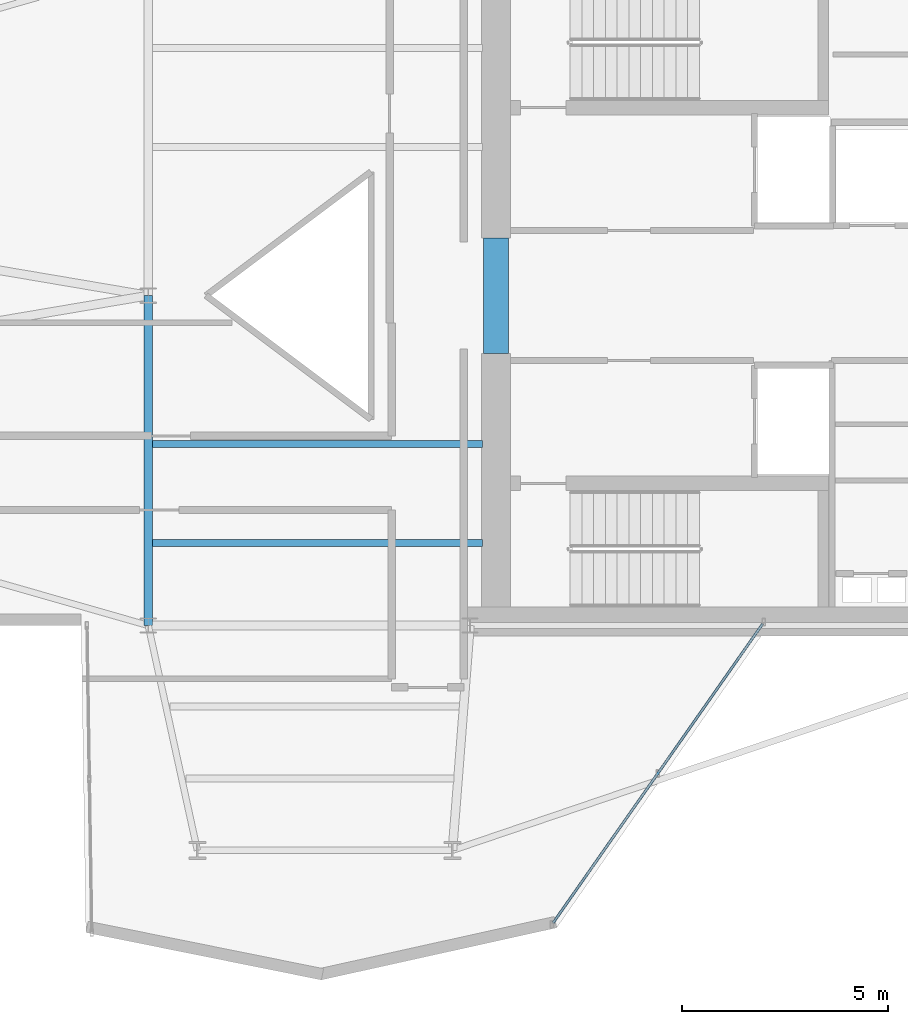
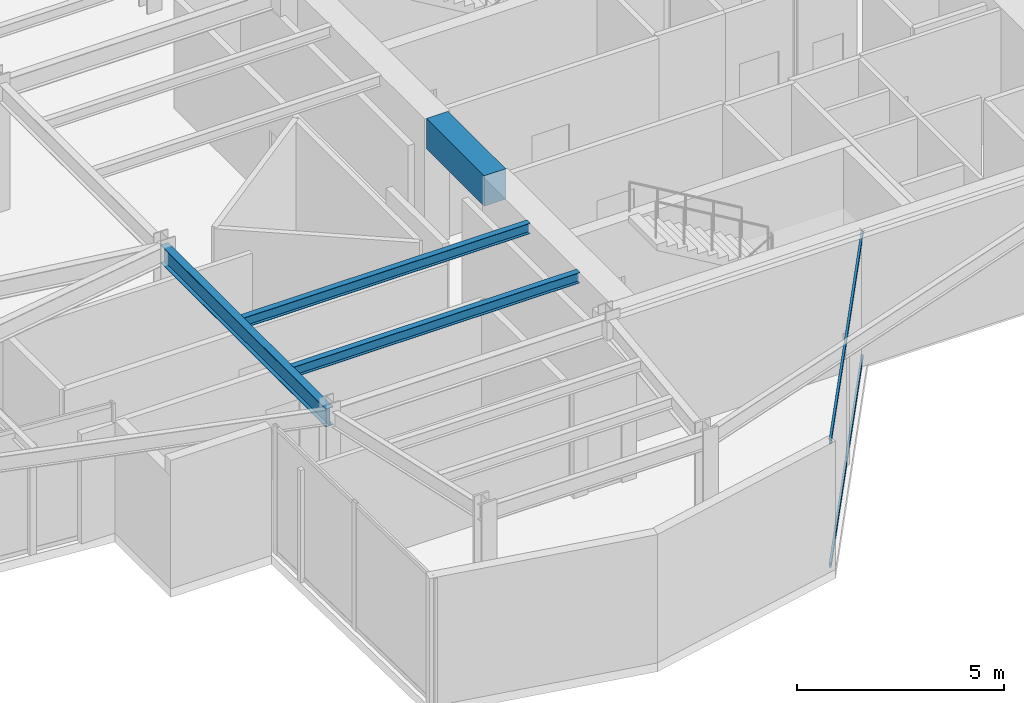
# One storey, part 7 of 22: 4 beams, 2 members, 1 element without a shape of its own.
"""IFC4 building model written with IfcOpenShell, lengths in metres."""

from ifc_helpers import new_model, si_unit, direction, frame, origin, origin_2d, place, context, subcontext, project, spatial, rectangle, hollow_rectangle, i_section, extrude, material, layer, layer_set, material_profile, profile_set, type_object, element, aggregate, save


model = new_model("IFC4")

# Units and contexts
model_context = context("Model", 3, precision=1e-05, world=origin(), true_north=direction((0.0, 1.0)))
body_context = subcontext(model_context, "Body", "Model", "MODEL_VIEW")
ifc_project = project(units=[si_unit("LENGTHUNIT", "METRE"), si_unit("AREAUNIT", "SQUARE_METRE"), si_unit("VOLUMEUNIT", "CUBIC_METRE"), si_unit("PLANEANGLEUNIT", "RADIAN"), si_unit("MASSUNIT", "GRAM", prefix="KILO")], contexts=[model_context])

# Site, building, storey
site_placement = place(None, origin())
site = spatial("IfcSite", under=ifc_project, at=site_placement, CompositionType="ELEMENT")
building_placement = place(site_placement, origin())
building = spatial("IfcBuilding", under=site, at=building_placement, Name="Veymaron Broadcast Tower", CompositionType="ELEMENT")
storey_placement = place(building_placement, frame((0.0, 0.0, 216.14990234375)))
storey = spatial("IfcBuildingStorey", under=building, at=storey_placement, Name="L50", CompositionType="ELEMENT", Elevation=216.14990234375)

# Beams
ifc_material_1 = material(Name="Concrete C60/75", Category="concrete")
ifc_material_profile_1 = material_profile(ifc_material_1, rectangle(XDim=0.60009765625, YDim=0.89990234375, at=origin_2d()), Name="RC600X900")
ifc_profile_set_1 = profile_set([ifc_material_profile_1], Name="Concrete C60/75")
beam_type_1 = type_object("IfcBeamType", Name="BM-CB2", PredefinedType="LINTEL", material=ifc_profile_set_1)
beam_1_placement = place(storey_placement, frame((39.6298828125, 22.60009765625, 3.340087890625), z_axis=(0.0, 1.0, 0.0), x_axis=(-1.0, 0.0, 0.0)))
element("IfcBeam", 1, at=beam_1_placement, inside=storey, type_object=beam_type_1, Name="L50 Core Wall west coupling beam", PredefinedType="LINTEL", context=body_context, shape_type="SweptSolid", body=[
    extrude(rectangle(XDim=0.60009765625, YDim=0.89990234375, at=origin_2d()), origin(), (0.0, 0.0, 1.0), 2.7998046875),
])
ifc_material_2 = material(Name="Structural steel ASTM A992 Gr 50", Category="steel")
ifc_material_profile_2 = material_profile(ifc_material_2, i_section(OverallWidth=0.2099609375, OverallDepth=0.537109375, WebThickness=0.010986328125, FlangeThickness=0.017333984375, at=origin_2d()), Name="W530X101")
ifc_profile_set_2 = profile_set([ifc_material_profile_2], Name="Structural steel ASTM A992 Gr 50")
beam_type_2 = type_object("IfcBeamType", Name="BM-FG3", PredefinedType="BEAM", material=ifc_profile_set_2)
beam_2_placement = place(storey_placement, frame((31.199951171875, 16.0, 3.521484375), z_axis=(0.0, 1.0, 0.0), x_axis=(-1.0, 0.0, 0.0)))
element("IfcBeam", 2, at=beam_2_placement, inside=storey, type_object=beam_type_2, Name="L50 primary structural floor girder", PredefinedType="BEAM", context=body_context, shape_type="SweptSolid", body=[
    extrude(i_section(OverallWidth=0.2099609375, OverallDepth=0.537109375, WebThickness=0.010986328125, FlangeThickness=0.017333984375, at=origin_2d()), origin(), (0.0, 0.0, 1.0), 8.0),
])
ifc_material_profile_3 = material_profile(ifc_material_2, i_section(OverallWidth=0.1650390625, OverallDepth=0.31005859375, WebThickness=0.005859375, FlangeThickness=0.009765625, at=origin_2d()), Name="W310X39")
ifc_profile_set_3 = profile_set([ifc_material_profile_3], Name="Structural steel ASTM A992 Gr 50")
beam_type_3 = type_object("IfcBeamType", Name="BM-JS3", PredefinedType="JOIST", material=ifc_profile_set_3)
for number, where, z_axis, x_axis, name in (
    (3, (31.300048828125, 18.0, 3.635009765625), (1.0, 0.0, 0.0), (0.0, 1.0, 0.0), "L50 Hub secondary joist 1"),
    (4, (31.300048828125, 20.39990234375, 3.635009765625), (1.0, 0.0, 0.0), (0.0, 1.0, 0.0), "L50 Hub secondary joist 2"),
):
    element("IfcBeam", number, at=place(storey_placement, frame(where, z_axis=z_axis, x_axis=x_axis)), inside=storey, type_object=beam_type_3, Name=name, PredefinedType="JOIST", context=body_context, shape_type="SweptSolid", body=[
        extrude(i_section(OverallWidth=0.1650390625, OverallDepth=0.31005859375, WebThickness=0.005859375, FlangeThickness=0.009765625, at=origin_2d()), origin(), (0.0, 0.0, 1.0), 8.0),
    ])

# Curtain wall, members
ifc_material_3 = material(Name="Anodised aluminium AA 6063-T6 and laminated low-E dark glass", Category="aluminium")
ifc_layer = layer(ifc_material_3, 0.179931640625)
ifc_layer_set = layer_set([ifc_layer], Name="Anodised aluminium AA 6063-T6 and laminated low-E dark glass")
curtain_wall_type = type_object("IfcCurtainWallType", Name="CW-SYS-05", PredefinedType="NOTDEFINED", material=ifc_layer_set)
curtain_wall_placement = place(storey_placement, origin())
curtain_wall = element("IfcCurtainWall", 5, at=curtain_wall_placement, inside=storey, type_object=curtain_wall_type, Name="L50 dark-glass curtain wall CW-L50-E20-1", PredefinedType="NOTDEFINED")
ifc_material_4 = material(Name="Anodised aluminium AA 6063-T6", Category="aluminium")
ifc_material_profile_4 = material_profile(ifc_material_4, hollow_rectangle(XDim=0.06005859375, YDim=0.1201171875, WallThickness=0.00390625, at=origin_2d()), Name="AL120X60X4")
ifc_profile_set_4 = profile_set([ifc_material_profile_4], Name="Anodised aluminium AA 6063-T6")
member_type = type_object("IfcMemberType", Name="CW-TRN-02", PredefinedType="USERDEFINED", material=ifc_profile_set_4)
member_1_placement = place(storey_placement, frame((41.016357421875, 8.791259765625, 0.070068359375), z_axis=(0.573913969327, 0.81891559749, 0.0), x_axis=(-0.81891559749, 0.573913969327, 0.0)))
member_1 = element("IfcMember", 6, at=member_1_placement, type_object=member_type, Name="CW-L50-E20-1 transom B", ObjectType="TRANSOM", PredefinedType="USERDEFINED", context=body_context, shape_type="SweptSolid", body=[
    extrude(hollow_rectangle(XDim=0.06005859375, YDim=0.1201171875, WallThickness=0.00390625, at=origin_2d()), origin(), (0.0, 0.0, 1.0), 8.850830078125),
])
member_2_placement = place(storey_placement, frame((41.016357421875, 8.791259765625, 3.72021484375), z_axis=(0.573913969327, 0.81891559749, 0.0), x_axis=(-0.81891559749, 0.573913969327, 0.0)))
member_2 = element("IfcMember", 7, at=member_2_placement, type_object=member_type, Name="CW-L50-E20-1 transom T", ObjectType="TRANSOM", PredefinedType="USERDEFINED", context=body_context, shape_type="SweptSolid", body=[
    extrude(hollow_rectangle(XDim=0.06005859375, YDim=0.1201171875, WallThickness=0.00390625, at=origin_2d()), origin(), (0.0, 0.0, 1.0), 8.850830078125),
])
aggregate(curtain_wall, [member_1, member_2])

save(model, "model.ifc")
